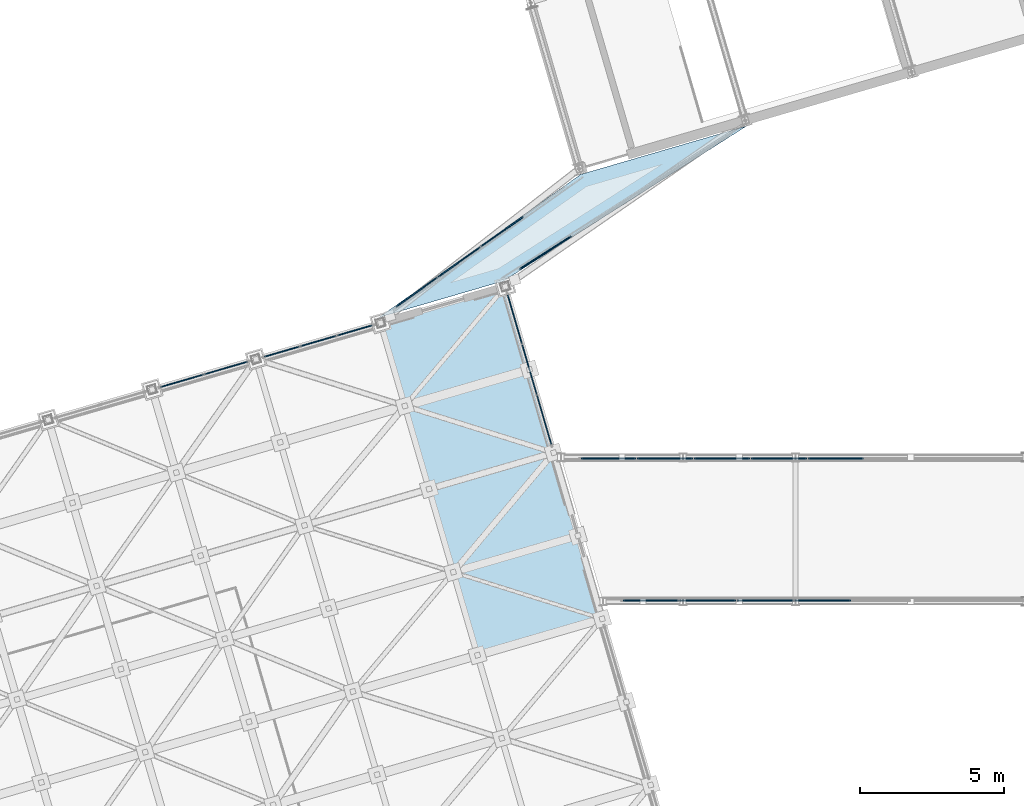
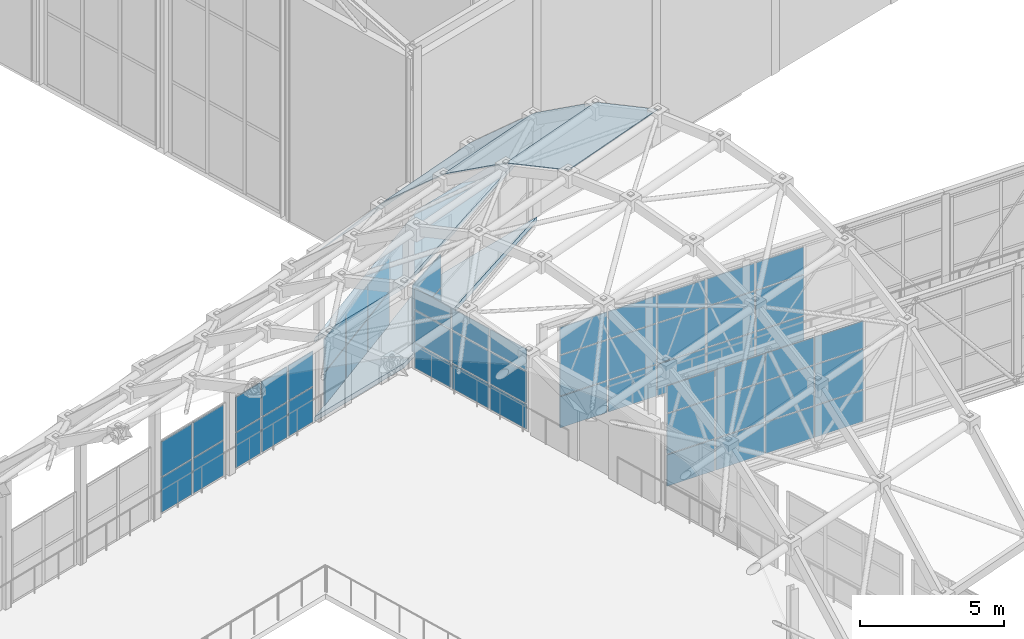
# One storey, part 208 of 248: 58 plates, 2 slabs, 7 elements without a shape of their own.
"""IFC4 building model written with IfcOpenShell, lengths in metres."""

from ifc_helpers import new_model, si_unit, direction, frame, origin, origin_2d, place, context, subcontext, project, spatial, polyline, rectangle, outline, extrude, material, layer, layer_set, type_object, element, aggregate, save


model = new_model("IFC4")

# Units and contexts
model_context = context("Model", 3, precision=1e-05, world=origin(), true_north=direction((0.0, 1.0)))
body_context = subcontext(model_context, "Body", "Model", "MODEL_VIEW")
ifc_project = project(units=[si_unit("LENGTHUNIT", "METRE"), si_unit("AREAUNIT", "SQUARE_METRE"), si_unit("VOLUMEUNIT", "CUBIC_METRE"), si_unit("PLANEANGLEUNIT", "RADIAN"), si_unit("MASSUNIT", "GRAM", prefix="KILO")], contexts=[model_context])

# Site, building, storey
site_placement = place(None, origin())
site = spatial("IfcSite", under=ifc_project, at=site_placement, CompositionType="ELEMENT")
building_placement = place(site_placement, origin())
building = spatial("IfcBuilding", under=site, at=building_placement, Name="Canggui Botanical Conservatory", CompositionType="ELEMENT")
storey_placement = place(building_placement, frame((0.0, 0.0, 5.39990234375)))
storey = spatial("IfcBuildingStorey", under=building, at=storey_placement, Name="L02", CompositionType="ELEMENT", Elevation=5.39990234375)

# Curtain wall, plates
ifc_material_1 = material(Name="Thermally Broken Aluminium", Category="aluminium")
ifc_layer_1 = layer(ifc_material_1, 0.14990234375, Name="Thermally Broken Aluminium", Category="aluminium")
ifc_layer_set_1 = layer_set([ifc_layer_1], Name="Thermally Broken Aluminium")
curtain_wall_type_1 = type_object("IfcCurtainWallType", Name="CW-UNIT-C", PredefinedType="USERDEFINED", material=ifc_layer_set_1)
curtain_wall_1_placement = place(storey_placement, origin())
curtain_wall_1 = element("IfcCurtainWall", 1, at=curtain_wall_1_placement, inside=storey, type_object=curtain_wall_type_1, Name="Facade Curtain Wall CW-CONS-GABLE-L02-N-05", ObjectType="UNITISED CURTAIN WALL", PredefinedType="USERDEFINED")
ifc_material_2 = material(Name="Low-E Insulated Glass", Category="glass")
ifc_layer_2 = layer(ifc_material_2, 0.033935546875, Name="Low-E Insulated Glass", Category="glass")
ifc_layer_set_2 = layer_set([ifc_layer_2], Name="Low-E Insulated Glass")
plate_type_1 = type_object("IfcPlateType", Name="CWP-03", PredefinedType="CURTAIN_PANEL", material=ifc_layer_set_2)
plate_1_placement = place(storey_placement, frame((64.7890625, 81.29443359375, 0.054931640625), z_axis=(0.0, 0.0, 1.0), x_axis=(-0.279999999995, 0.960000000002, 0.0)))
plate_1 = element("IfcPlate", 2, at=plate_1_placement, type_object=plate_type_1, Name="CW-03 panel 1.1", PredefinedType="CURTAIN_PANEL", context=body_context, shape_type="SweptSolid", body=[
    extrude(rectangle(XDim=1.743408203125, YDim=0.033935546875, at=origin_2d()), origin(), (0.0, 0.0, 1.0), 1.03759765625),
])
plate_2_placement = place(storey_placement, frame((64.7890625, 81.29443359375, 1.1474609375), z_axis=(0.0, 0.0, 1.0), x_axis=(-0.279999999995, 0.960000000002, 0.0)))
plate_2 = element("IfcPlate", 3, at=plate_2_placement, type_object=plate_type_1, Name="CW-03 panel 1.2", PredefinedType="CURTAIN_PANEL", context=body_context, shape_type="SweptSolid", body=[
    extrude(rectangle(XDim=1.743408203125, YDim=0.033935546875, at=origin_2d()), origin(), (0.0, 0.0, 1.0), 1.344970703125),
])
plate_3_placement = place(storey_placement, frame((64.7890625, 81.29443359375, 2.547607421875), z_axis=(0.0, 0.0, 1.0), x_axis=(-0.279999999995, 0.960000000002, 0.0)))
plate_3 = element("IfcPlate", 4, at=plate_3_placement, type_object=plate_type_1, Name="CW-03 panel 1.3", PredefinedType="CURTAIN_PANEL", context=body_context, shape_type="SweptSolid", body=[
    extrude(rectangle(XDim=1.743408203125, YDim=0.033935546875, at=origin_2d()), origin(), (0.0, 0.0, 1.0), 0.8974609375),
])
plate_4_placement = place(storey_placement, frame((64.280029296875, 83.0400390625, 0.054931640625), z_axis=(0.0, 0.0, 1.0), x_axis=(-0.279999999995, 0.960000000002, 0.0)))
plate_4 = element("IfcPlate", 5, at=plate_4_placement, type_object=plate_type_1, Name="CW-03 panel 2.1", PredefinedType="CURTAIN_PANEL", context=body_context, shape_type="SweptSolid", body=[
    extrude(rectangle(XDim=1.7734375, YDim=0.033935546875, at=origin_2d()), origin(), (0.0, 0.0, 1.0), 1.03759765625),
])
plate_5_placement = place(storey_placement, frame((64.280029296875, 83.0400390625, 1.1474609375), z_axis=(0.0, 0.0, 1.0), x_axis=(-0.279999999995, 0.960000000002, 0.0)))
plate_5 = element("IfcPlate", 6, at=plate_5_placement, type_object=plate_type_1, Name="CW-03 panel 2.2", PredefinedType="CURTAIN_PANEL", context=body_context, shape_type="SweptSolid", body=[
    extrude(rectangle(XDim=1.7734375, YDim=0.033935546875, at=origin_2d()), origin(), (0.0, 0.0, 1.0), 1.344970703125),
])
plate_6_placement = place(storey_placement, frame((64.280029296875, 83.0400390625, 2.547607421875), z_axis=(0.0, 0.0, 1.0), x_axis=(-0.279999999995, 0.960000000002, 0.0)))
plate_6 = element("IfcPlate", 7, at=plate_6_placement, type_object=plate_type_1, Name="CW-03 panel 2.3", PredefinedType="CURTAIN_PANEL", context=body_context, shape_type="SweptSolid", body=[
    extrude(rectangle(XDim=1.7734375, YDim=0.033935546875, at=origin_2d()), origin(), (0.0, 0.0, 1.0), 0.8974609375),
])
plate_7_placement = place(storey_placement, frame((63.770751953125, 84.78564453125, 0.054931640625), z_axis=(0.0, 0.0, 1.0), x_axis=(-0.279999999995, 0.960000000002, 0.0)))
plate_7 = element("IfcPlate", 8, at=plate_7_placement, type_object=plate_type_1, Name="CW-03 panel 3.1", PredefinedType="CURTAIN_PANEL", context=body_context, shape_type="SweptSolid", body=[
    extrude(rectangle(XDim=1.743408203125, YDim=0.033935546875, at=origin_2d()), origin(), (0.0, 0.0, 1.0), 1.03759765625),
])
plate_8_placement = place(storey_placement, frame((63.770751953125, 84.78564453125, 1.1474609375), z_axis=(0.0, 0.0, 1.0), x_axis=(-0.279999999995, 0.960000000002, 0.0)))
plate_8 = element("IfcPlate", 9, at=plate_8_placement, type_object=plate_type_1, Name="CW-03 panel 3.2", PredefinedType="CURTAIN_PANEL", context=body_context, shape_type="SweptSolid", body=[
    extrude(rectangle(XDim=1.743408203125, YDim=0.033935546875, at=origin_2d()), origin(), (0.0, 0.0, 1.0), 1.344970703125),
])
plate_9_placement = place(storey_placement, frame((63.770751953125, 84.78564453125, 2.547607421875), z_axis=(0.0, 0.0, 1.0), x_axis=(-0.279999999995, 0.960000000002, 0.0)))
plate_9 = element("IfcPlate", 10, at=plate_9_placement, type_object=plate_type_1, Name="CW-03 panel 3.3", PredefinedType="CURTAIN_PANEL", context=body_context, shape_type="SweptSolid", body=[
    extrude(rectangle(XDim=1.743408203125, YDim=0.033935546875, at=origin_2d()), origin(), (0.0, 0.0, 1.0), 0.8974609375),
])
aggregate(curtain_wall_1, [plate_1, plate_2, plate_3, plate_4, plate_5, plate_6, plate_7, plate_8, plate_9])

ifc_layer_3 = layer(ifc_material_1, 0.135009765625, Name="Thermally Broken Aluminium", Category="aluminium")
ifc_layer_set_3 = layer_set([ifc_layer_3], Name="Thermally Broken Aluminium")
curtain_wall_type_2 = type_object("IfcCurtainWallType", Name="CW-STICK-A", PredefinedType="USERDEFINED", material=ifc_layer_set_3)
curtain_wall_2_placement = place(storey_placement, origin())
curtain_wall_2 = element("IfcCurtainWall", 11, at=curtain_wall_2_placement, inside=storey, type_object=curtain_wall_type_2, Name="Facade Curtain Wall CW-CONS-L02-V1-12", ObjectType="STICK GLAZED WALL", PredefinedType="USERDEFINED")
ifc_layer_4 = layer(ifc_material_2, 0.0380859375, Name="Low-E Insulated Glass", Category="glass")
ifc_layer_set_4 = layer_set([ifc_layer_4], Name="Low-E Insulated Glass")
plate_type_2 = type_object("IfcPlateType", Name="CWP-04", PredefinedType="CURTAIN_PANEL", material=ifc_layer_set_4)
plate_10_placement = place(storey_placement, frame((52.234375, 82.651611328125, 0.050048828125), z_axis=(0.0, 0.0, 1.0), x_axis=(0.960000000002, 0.279999999995, 0.0)))
plate_10 = element("IfcPlate", 12, at=plate_10_placement, type_object=plate_type_2, Name="CW-04 panel 1.1", PredefinedType="CURTAIN_PANEL", context=body_context, shape_type="SweptSolid", body=[
    extrude(rectangle(XDim=1.534912109375, YDim=0.0380859375, at=origin_2d()), origin(), (0.0, 0.0, 1.0), 1.47509765625),
])
plate_11_placement = place(storey_placement, frame((52.234375, 82.651611328125, 1.574951171875), z_axis=(0.0, 0.0, 1.0), x_axis=(0.960000000002, 0.279999999995, 0.0)))
plate_11 = element("IfcPlate", 13, at=plate_11_placement, type_object=plate_type_2, Name="CW-04 panel 1.2", PredefinedType="CURTAIN_PANEL", context=body_context, shape_type="SweptSolid", body=[
    extrude(rectangle(XDim=1.534912109375, YDim=0.0380859375, at=origin_2d()), origin(), (0.0, 0.0, 1.0), 1.47509765625),
])
plate_12_placement = place(storey_placement, frame((53.765625, 83.098388671875, 0.050048828125), z_axis=(0.0, 0.0, 1.0), x_axis=(0.960000000002, 0.279999999995, 0.0)))
plate_12 = element("IfcPlate", 14, at=plate_12_placement, type_object=plate_type_2, Name="CW-04 panel 2.1", PredefinedType="CURTAIN_PANEL", context=body_context, shape_type="SweptSolid", body=[
    extrude(rectangle(XDim=1.534912109375, YDim=0.0380859375, at=origin_2d()), origin(), (0.0, 0.0, 1.0), 1.47509765625),
])
plate_13_placement = place(storey_placement, frame((53.765625, 83.098388671875, 1.574951171875), z_axis=(0.0, 0.0, 1.0), x_axis=(0.960000000002, 0.279999999995, 0.0)))
plate_13 = element("IfcPlate", 15, at=plate_13_placement, type_object=plate_type_2, Name="CW-04 panel 2.2", PredefinedType="CURTAIN_PANEL", context=body_context, shape_type="SweptSolid", body=[
    extrude(rectangle(XDim=1.534912109375, YDim=0.0380859375, at=origin_2d()), origin(), (0.0, 0.0, 1.0), 1.47509765625),
])
aggregate(curtain_wall_2, [plate_10, plate_11, plate_12, plate_13])

curtain_wall_3_placement = place(storey_placement, origin())
curtain_wall_3 = element("IfcCurtainWall", 16, at=curtain_wall_3_placement, inside=storey, type_object=curtain_wall_type_2, Name="Facade Curtain Wall CW-CONS-L02-V1-13", ObjectType="STICK GLAZED WALL", PredefinedType="USERDEFINED")
plate_14_placement = place(storey_placement, frame((55.6943359375, 83.660888671875, 0.050048828125), z_axis=(0.0, 0.0, 1.0), x_axis=(0.960000000002, 0.279999999995, 0.0)))
plate_14 = element("IfcPlate", 17, at=plate_14_placement, type_object=plate_type_2, Name="CW-04 panel 1.1", PredefinedType="CURTAIN_PANEL", context=body_context, shape_type="SweptSolid", body=[
    extrude(rectangle(XDim=1.243408203125, YDim=0.0380859375, at=origin_2d()), origin(), (0.0, 0.0, 1.0), 1.47509765625),
])
plate_15_placement = place(storey_placement, frame((55.6943359375, 83.660888671875, 1.574951171875), z_axis=(0.0, 0.0, 1.0), x_axis=(0.960000000002, 0.279999999995, 0.0)))
plate_15 = element("IfcPlate", 18, at=plate_15_placement, type_object=plate_type_2, Name="CW-04 panel 1.2", PredefinedType="CURTAIN_PANEL", context=body_context, shape_type="SweptSolid", body=[
    extrude(rectangle(XDim=1.243408203125, YDim=0.0380859375, at=origin_2d()), origin(), (0.0, 0.0, 1.0), 1.47509765625),
])
plate_16_placement = place(storey_placement, frame((56.9599609375, 84.030029296875, 0.050048828125), z_axis=(0.0, 0.0, 1.0), x_axis=(0.960000000002, 0.279999999995, 0.0)))
plate_16 = element("IfcPlate", 19, at=plate_16_placement, type_object=plate_type_2, Name="CW-04 panel 2.1", PredefinedType="CURTAIN_PANEL", context=body_context, shape_type="SweptSolid", body=[
    extrude(rectangle(XDim=1.2734375, YDim=0.0380859375, at=origin_2d()), origin(), (0.0, 0.0, 1.0), 1.47509765625),
])
plate_17_placement = place(storey_placement, frame((56.9599609375, 84.030029296875, 1.574951171875), z_axis=(0.0, 0.0, 1.0), x_axis=(0.960000000002, 0.279999999995, 0.0)))
plate_17 = element("IfcPlate", 20, at=plate_17_placement, type_object=plate_type_2, Name="CW-04 panel 2.2", PredefinedType="CURTAIN_PANEL", context=body_context, shape_type="SweptSolid", body=[
    extrude(rectangle(XDim=1.2734375, YDim=0.0380859375, at=origin_2d()), origin(), (0.0, 0.0, 1.0), 1.47509765625),
])
plate_18_placement = place(storey_placement, frame((58.2255859375, 84.399169921875, 0.050048828125), z_axis=(0.0, 0.0, 1.0), x_axis=(0.960000000002, 0.279999999995, 0.0)))
plate_18 = element("IfcPlate", 21, at=plate_18_placement, type_object=plate_type_2, Name="CW-04 panel 3.1", PredefinedType="CURTAIN_PANEL", context=body_context, shape_type="SweptSolid", body=[
    extrude(rectangle(XDim=1.243408203125, YDim=0.0380859375, at=origin_2d()), origin(), (0.0, 0.0, 1.0), 1.47509765625),
])
plate_19_placement = place(storey_placement, frame((58.2255859375, 84.399169921875, 1.574951171875), z_axis=(0.0, 0.0, 1.0), x_axis=(0.960000000002, 0.279999999995, 0.0)))
plate_19 = element("IfcPlate", 22, at=plate_19_placement, type_object=plate_type_2, Name="CW-04 panel 3.2", PredefinedType="CURTAIN_PANEL", context=body_context, shape_type="SweptSolid", body=[
    extrude(rectangle(XDim=1.243408203125, YDim=0.0380859375, at=origin_2d()), origin(), (0.0, 0.0, 1.0), 1.47509765625),
])
aggregate(curtain_wall_3, [plate_14, plate_15, plate_16, plate_17, plate_18, plate_19])

ifc_layer_5 = layer(ifc_material_1, 0.1201171875, Name="Thermally Broken Aluminium", Category="aluminium")
ifc_layer_set_5 = layer_set([ifc_layer_5], Name="Thermally Broken Aluminium")
curtain_wall_type_3 = type_object("IfcCurtainWallType", Name="CW-STICK-B", PredefinedType="USERDEFINED", material=ifc_layer_set_5)
curtain_wall_4_placement = place(storey_placement, origin())
curtain_wall_4 = element("IfcCurtainWall", 23, at=curtain_wall_4_placement, inside=storey, type_object=curtain_wall_type_3, Name="Facade Curtain Wall CW-SB-03-1", ObjectType="STICK GLAZED WALL", PredefinedType="USERDEFINED")
ifc_layer_6 = layer(ifc_material_2, 0.0419921875, Name="Low-E Insulated Glass", Category="glass")
ifc_layer_set_6 = layer_set([ifc_layer_6], Name="Low-E Insulated Glass")
plate_type_3 = type_object("IfcPlateType", Name="CWP-05", PredefinedType="CURTAIN_PANEL", material=ifc_layer_set_6)
plate_20_placement = place(storey_placement, frame((60.3701171875, 85.728759765625, 0.044921875), z_axis=(0.0, 0.0, 1.0), x_axis=(0.815836835725, 0.578282160778, 0.0)))
plate_20 = element("IfcPlate", 24, at=plate_20_placement, type_object=plate_type_3, Name="CW-05 panel 1.1", PredefinedType="CURTAIN_PANEL", context=body_context, shape_type="SweptSolid", body=[
    extrude(rectangle(XDim=1.735107421875, YDim=0.0419921875, at=origin_2d()), origin(), (0.0, 0.0, 1.0), 1.382568359375),
])
plate_21_placement = place(storey_placement, frame((60.3701171875, 85.728759765625, 1.47265625), z_axis=(0.0, 0.0, 1.0), x_axis=(0.815836835725, 0.578282160778, 0.0)))
plate_21 = element("IfcPlate", 25, at=plate_21_placement, type_object=plate_type_3, Name="CW-05 panel 1.2", PredefinedType="CURTAIN_PANEL", context=body_context, shape_type="SweptSolid", body=[
    extrude(rectangle(XDim=1.735107421875, YDim=0.0419921875, at=origin_2d()), origin(), (0.0, 0.0, 1.0), 1.382568359375),
])
plate_22_placement = place(storey_placement, frame((61.841796875, 86.771728515625, 0.044921875), z_axis=(0.0, 0.0, 1.0), x_axis=(0.815836835725, 0.578282160778, 0.0)))
plate_22 = element("IfcPlate", 26, at=plate_22_placement, type_object=plate_type_3, Name="CW-05 panel 2.1", PredefinedType="CURTAIN_PANEL", context=body_context, shape_type="SweptSolid", body=[
    extrude(rectangle(XDim=1.7626953125, YDim=0.0419921875, at=origin_2d()), origin(), (0.0, 0.0, 1.0), 1.382568359375),
])
plate_23_placement = place(storey_placement, frame((61.841796875, 86.771728515625, 1.47265625), z_axis=(0.0, 0.0, 1.0), x_axis=(0.815836835725, 0.578282160778, 0.0)))
plate_23 = element("IfcPlate", 27, at=plate_23_placement, type_object=plate_type_3, Name="CW-05 panel 2.2", PredefinedType="CURTAIN_PANEL", context=body_context, shape_type="SweptSolid", body=[
    extrude(rectangle(XDim=1.7626953125, YDim=0.0419921875, at=origin_2d()), origin(), (0.0, 0.0, 1.0), 1.382568359375),
])
plate_24_placement = place(storey_placement, frame((63.324462890625, 87.822998046875, 0.044921875), z_axis=(0.0, 0.0, 1.0), x_axis=(0.815836835725, 0.578282160778, 0.0)))
plate_24 = element("IfcPlate", 28, at=plate_24_placement, type_object=plate_type_3, Name="CW-05 panel 3.1", PredefinedType="CURTAIN_PANEL", context=body_context, shape_type="SweptSolid", body=[
    extrude(rectangle(XDim=1.7626953125, YDim=0.0419921875, at=origin_2d()), origin(), (0.0, 0.0, 1.0), 1.382568359375),
])
plate_25_placement = place(storey_placement, frame((63.324462890625, 87.822998046875, 1.47265625), z_axis=(0.0, 0.0, 1.0), x_axis=(0.815836835725, 0.578282160778, 0.0)))
plate_25 = element("IfcPlate", 29, at=plate_25_placement, type_object=plate_type_3, Name="CW-05 panel 3.2", PredefinedType="CURTAIN_PANEL", context=body_context, shape_type="SweptSolid", body=[
    extrude(rectangle(XDim=1.7626953125, YDim=0.0419921875, at=origin_2d()), origin(), (0.0, 0.0, 1.0), 1.382568359375),
])
aggregate(curtain_wall_4, [plate_20, plate_21, plate_22, plate_23, plate_24, plate_25])

curtain_wall_5_placement = place(storey_placement, origin())
curtain_wall_5 = element("IfcCurtainWall", 30, at=curtain_wall_5_placement, inside=storey, type_object=curtain_wall_type_3, Name="Facade Curtain Wall CW-SB-03-2", ObjectType="STICK GLAZED WALL", PredefinedType="USERDEFINED")
plate_26_placement = place(storey_placement, frame((64.839111328125, 87.087158203125, 0.044921875), z_axis=(0.0, 0.0, 1.0), x_axis=(0.843199713274, 0.537600449716, 0.0)))
plate_26 = element("IfcPlate", 31, at=plate_26_placement, type_object=plate_type_3, Name="CW-05 panel 1.1", PredefinedType="CURTAIN_PANEL", context=body_context, shape_type="SweptSolid", body=[
    extrude(rectangle(XDim=2.092529296875, YDim=0.0419921875, at=origin_2d()), origin(), (0.0, 0.0, 1.0), 1.382568359375),
])
plate_27_placement = place(storey_placement, frame((64.839111328125, 87.087158203125, 1.47265625), z_axis=(0.0, 0.0, 1.0), x_axis=(0.843199713274, 0.537600449716, 0.0)))
plate_27 = element("IfcPlate", 32, at=plate_27_placement, type_object=plate_type_3, Name="CW-05 panel 1.2", PredefinedType="CURTAIN_PANEL", context=body_context, shape_type="SweptSolid", body=[
    extrude(rectangle(XDim=2.092529296875, YDim=0.0419921875, at=origin_2d()), origin(), (0.0, 0.0, 1.0), 1.382568359375),
])
aggregate(curtain_wall_5, [plate_26, plate_27])

curtain_wall_6_placement = place(storey_placement, origin())
curtain_wall_6 = element("IfcCurtainWall", 33, at=curtain_wall_6_placement, inside=storey, type_object=curtain_wall_type_3, Name="Facade Curtain Wall CW-SB-04-1", ObjectType="STICK GLAZED WALL", PredefinedType="USERDEFINED")
plate_28_placement = place(storey_placement, frame((68.488525390625, 75.0400390625, 0.044921875), z_axis=(0.0, 0.0, 1.0), x_axis=(1.0, 0.0, 0.0)))
plate_28 = element("IfcPlate", 34, at=plate_28_placement, type_object=plate_type_3, Name="CW-05 panel 1.1", PredefinedType="CURTAIN_PANEL", context=body_context, shape_type="SweptSolid", body=[
    extrude(rectangle(XDim=1.90673828125, YDim=0.0419921875, at=origin_2d()), origin(), (0.0, 0.0, 1.0), 1.324462890625),
])
plate_29_placement = place(storey_placement, frame((68.488525390625, 75.0400390625, 1.41455078125), z_axis=(0.0, 0.0, 1.0), x_axis=(1.0, 0.0, 0.0)))
plate_29 = element("IfcPlate", 35, at=plate_29_placement, type_object=plate_type_3, Name="CW-05 panel 1.2", PredefinedType="CURTAIN_PANEL", context=body_context, shape_type="SweptSolid", body=[
    extrude(rectangle(XDim=1.90673828125, YDim=0.0419921875, at=origin_2d()), origin(), (0.0, 0.0, 1.0), 1.695068359375),
])
plate_30_placement = place(storey_placement, frame((68.488525390625, 75.0400390625, 3.154541015625), z_axis=(0.0, 0.0, 1.0), x_axis=(1.0, 0.0, 0.0)))
plate_30 = element("IfcPlate", 36, at=plate_30_placement, type_object=plate_type_3, Name="CW-05 panel 1.3", PredefinedType="CURTAIN_PANEL", context=body_context, shape_type="SweptSolid", body=[
    extrude(rectangle(XDim=1.90673828125, YDim=0.0419921875, at=origin_2d()), origin(), (0.0, 0.0, 1.0), 1.150390625),
])
plate_31_placement = place(storey_placement, frame((70.464111328125, 75.0400390625, 0.044921875), z_axis=(0.0, 0.0, 1.0), x_axis=(1.0, 0.0, 0.0)))
plate_31 = element("IfcPlate", 37, at=plate_31_placement, type_object=plate_type_3, Name="CW-05 panel 2.1", PredefinedType="CURTAIN_PANEL", context=body_context, shape_type="SweptSolid", body=[
    extrude(rectangle(XDim=1.934326171875, YDim=0.0419921875, at=origin_2d()), origin(), (0.0, 0.0, 1.0), 1.324462890625),
])
plate_32_placement = place(storey_placement, frame((70.464111328125, 75.0400390625, 1.41455078125), z_axis=(0.0, 0.0, 1.0), x_axis=(1.0, 0.0, 0.0)))
plate_32 = element("IfcPlate", 38, at=plate_32_placement, type_object=plate_type_3, Name="CW-05 panel 2.2", PredefinedType="CURTAIN_PANEL", context=body_context, shape_type="SweptSolid", body=[
    extrude(rectangle(XDim=1.934326171875, YDim=0.0419921875, at=origin_2d()), origin(), (0.0, 0.0, 1.0), 1.695068359375),
])
plate_33_placement = place(storey_placement, frame((70.464111328125, 75.0400390625, 3.154541015625), z_axis=(0.0, 0.0, 1.0), x_axis=(1.0, 0.0, 0.0)))
plate_33 = element("IfcPlate", 39, at=plate_33_placement, type_object=plate_type_3, Name="CW-05 panel 2.3", PredefinedType="CURTAIN_PANEL", context=body_context, shape_type="SweptSolid", body=[
    extrude(rectangle(XDim=1.934326171875, YDim=0.0419921875, at=origin_2d()), origin(), (0.0, 0.0, 1.0), 1.150390625),
])
plate_34_placement = place(storey_placement, frame((72.453369140625, 75.0400390625, 0.044921875), z_axis=(0.0, 0.0, 1.0), x_axis=(1.0, 0.0, 0.0)))
plate_34 = element("IfcPlate", 40, at=plate_34_placement, type_object=plate_type_3, Name="CW-05 panel 3.1", PredefinedType="CURTAIN_PANEL", context=body_context, shape_type="SweptSolid", body=[
    extrude(rectangle(XDim=1.934326171875, YDim=0.0419921875, at=origin_2d()), origin(), (0.0, 0.0, 1.0), 1.324462890625),
])
plate_35_placement = place(storey_placement, frame((72.453369140625, 75.0400390625, 1.41455078125), z_axis=(0.0, 0.0, 1.0), x_axis=(1.0, 0.0, 0.0)))
plate_35 = element("IfcPlate", 41, at=plate_35_placement, type_object=plate_type_3, Name="CW-05 panel 3.2", PredefinedType="CURTAIN_PANEL", context=body_context, shape_type="SweptSolid", body=[
    extrude(rectangle(XDim=1.934326171875, YDim=0.0419921875, at=origin_2d()), origin(), (0.0, 0.0, 1.0), 1.695068359375),
])
plate_36_placement = place(storey_placement, frame((72.453369140625, 75.0400390625, 3.154541015625), z_axis=(0.0, 0.0, 1.0), x_axis=(1.0, 0.0, 0.0)))
plate_36 = element("IfcPlate", 42, at=plate_36_placement, type_object=plate_type_3, Name="CW-05 panel 3.3", PredefinedType="CURTAIN_PANEL", context=body_context, shape_type="SweptSolid", body=[
    extrude(rectangle(XDim=1.934326171875, YDim=0.0419921875, at=origin_2d()), origin(), (0.0, 0.0, 1.0), 1.150390625),
])
plate_37_placement = place(storey_placement, frame((74.442626953125, 75.0400390625, 0.044921875), z_axis=(0.0, 0.0, 1.0), x_axis=(1.0, 0.0, 0.0)))
plate_37 = element("IfcPlate", 43, at=plate_37_placement, type_object=plate_type_3, Name="CW-05 panel 4.1", PredefinedType="CURTAIN_PANEL", context=body_context, shape_type="SweptSolid", body=[
    extrude(rectangle(XDim=1.934326171875, YDim=0.0419921875, at=origin_2d()), origin(), (0.0, 0.0, 1.0), 1.324462890625),
])
plate_38_placement = place(storey_placement, frame((74.442626953125, 75.0400390625, 1.41455078125), z_axis=(0.0, 0.0, 1.0), x_axis=(1.0, 0.0, 0.0)))
plate_38 = element("IfcPlate", 44, at=plate_38_placement, type_object=plate_type_3, Name="CW-05 panel 4.2", PredefinedType="CURTAIN_PANEL", context=body_context, shape_type="SweptSolid", body=[
    extrude(rectangle(XDim=1.934326171875, YDim=0.0419921875, at=origin_2d()), origin(), (0.0, 0.0, 1.0), 1.695068359375),
])
plate_39_placement = place(storey_placement, frame((74.442626953125, 75.0400390625, 3.154541015625), z_axis=(0.0, 0.0, 1.0), x_axis=(1.0, 0.0, 0.0)))
plate_39 = element("IfcPlate", 45, at=plate_39_placement, type_object=plate_type_3, Name="CW-05 panel 4.3", PredefinedType="CURTAIN_PANEL", context=body_context, shape_type="SweptSolid", body=[
    extrude(rectangle(XDim=1.934326171875, YDim=0.0419921875, at=origin_2d()), origin(), (0.0, 0.0, 1.0), 1.150390625),
])
aggregate(curtain_wall_6, [plate_28, plate_29, plate_30, plate_31, plate_32, plate_33, plate_34, plate_35, plate_36, plate_37, plate_38, plate_39])

curtain_wall_7_placement = place(storey_placement, origin())
curtain_wall_7 = element("IfcCurtainWall", 46, at=curtain_wall_7_placement, inside=storey, type_object=curtain_wall_type_3, Name="Facade Curtain Wall CW-SB-04-2", ObjectType="STICK GLAZED WALL", PredefinedType="USERDEFINED")
plate_40_placement = place(storey_placement, frame((67.020263671875, 79.9599609375, 0.044921875), z_axis=(0.0, 0.0, 1.0), x_axis=(1.0, 0.0, 0.0)))
plate_40 = element("IfcPlate", 47, at=plate_40_placement, type_object=plate_type_3, Name="CW-05 panel 1.1", PredefinedType="CURTAIN_PANEL", context=body_context, shape_type="SweptSolid", body=[
    extrude(rectangle(XDim=1.890380859375, YDim=0.0419921875, at=origin_2d()), origin(), (0.0, 0.0, 1.0), 1.324462890625),
])
plate_41_placement = place(storey_placement, frame((67.020263671875, 79.9599609375, 1.41455078125), z_axis=(0.0, 0.0, 1.0), x_axis=(1.0, 0.0, 0.0)))
plate_41 = element("IfcPlate", 48, at=plate_41_placement, type_object=plate_type_3, Name="CW-05 panel 1.2", PredefinedType="CURTAIN_PANEL", context=body_context, shape_type="SweptSolid", body=[
    extrude(rectangle(XDim=1.890380859375, YDim=0.0419921875, at=origin_2d()), origin(), (0.0, 0.0, 1.0), 1.695068359375),
])
plate_42_placement = place(storey_placement, frame((67.020263671875, 79.9599609375, 3.154541015625), z_axis=(0.0, 0.0, 1.0), x_axis=(1.0, 0.0, 0.0)))
plate_42 = element("IfcPlate", 49, at=plate_42_placement, type_object=plate_type_3, Name="CW-05 panel 1.3", PredefinedType="CURTAIN_PANEL", context=body_context, shape_type="SweptSolid", body=[
    extrude(rectangle(XDim=1.890380859375, YDim=0.0419921875, at=origin_2d()), origin(), (0.0, 0.0, 1.0), 1.150390625),
])
plate_43_placement = place(storey_placement, frame((68.979248046875, 79.9599609375, 0.044921875), z_axis=(0.0, 0.0, 1.0), x_axis=(1.0, 0.0, 0.0)))
plate_43 = element("IfcPlate", 50, at=plate_43_placement, type_object=plate_type_3, Name="CW-05 panel 2.1", PredefinedType="CURTAIN_PANEL", context=body_context, shape_type="SweptSolid", body=[
    extrude(rectangle(XDim=1.917724609375, YDim=0.0419921875, at=origin_2d()), origin(), (0.0, 0.0, 1.0), 1.324462890625),
])
plate_44_placement = place(storey_placement, frame((68.979248046875, 79.9599609375, 1.41455078125), z_axis=(0.0, 0.0, 1.0), x_axis=(1.0, 0.0, 0.0)))
plate_44 = element("IfcPlate", 51, at=plate_44_placement, type_object=plate_type_3, Name="CW-05 panel 2.2", PredefinedType="CURTAIN_PANEL", context=body_context, shape_type="SweptSolid", body=[
    extrude(rectangle(XDim=1.917724609375, YDim=0.0419921875, at=origin_2d()), origin(), (0.0, 0.0, 1.0), 1.695068359375),
])
plate_45_placement = place(storey_placement, frame((68.979248046875, 79.9599609375, 3.154541015625), z_axis=(0.0, 0.0, 1.0), x_axis=(1.0, 0.0, 0.0)))
plate_45 = element("IfcPlate", 52, at=plate_45_placement, type_object=plate_type_3, Name="CW-05 panel 2.3", PredefinedType="CURTAIN_PANEL", context=body_context, shape_type="SweptSolid", body=[
    extrude(rectangle(XDim=1.917724609375, YDim=0.0419921875, at=origin_2d()), origin(), (0.0, 0.0, 1.0), 1.150390625),
])
plate_46_placement = place(storey_placement, frame((70.9521484375, 79.9599609375, 0.044921875), z_axis=(0.0, 0.0, 1.0), x_axis=(1.0, 0.0, 0.0)))
plate_46 = element("IfcPlate", 53, at=plate_46_placement, type_object=plate_type_3, Name="CW-05 panel 3.1", PredefinedType="CURTAIN_PANEL", context=body_context, shape_type="SweptSolid", body=[
    extrude(rectangle(XDim=1.917724609375, YDim=0.0419921875, at=origin_2d()), origin(), (0.0, 0.0, 1.0), 1.324462890625),
])
plate_47_placement = place(storey_placement, frame((70.9521484375, 79.9599609375, 1.41455078125), z_axis=(0.0, 0.0, 1.0), x_axis=(1.0, 0.0, 0.0)))
plate_47 = element("IfcPlate", 54, at=plate_47_placement, type_object=plate_type_3, Name="CW-05 panel 3.2", PredefinedType="CURTAIN_PANEL", context=body_context, shape_type="SweptSolid", body=[
    extrude(rectangle(XDim=1.917724609375, YDim=0.0419921875, at=origin_2d()), origin(), (0.0, 0.0, 1.0), 1.695068359375),
])
plate_48_placement = place(storey_placement, frame((70.9521484375, 79.9599609375, 3.154541015625), z_axis=(0.0, 0.0, 1.0), x_axis=(1.0, 0.0, 0.0)))
plate_48 = element("IfcPlate", 55, at=plate_48_placement, type_object=plate_type_3, Name="CW-05 panel 3.3", PredefinedType="CURTAIN_PANEL", context=body_context, shape_type="SweptSolid", body=[
    extrude(rectangle(XDim=1.917724609375, YDim=0.0419921875, at=origin_2d()), origin(), (0.0, 0.0, 1.0), 1.150390625),
])
plate_49_placement = place(storey_placement, frame((72.9248046875, 79.9599609375, 0.044921875), z_axis=(0.0, 0.0, 1.0), x_axis=(1.0, 0.0, 0.0)))
plate_49 = element("IfcPlate", 56, at=plate_49_placement, type_object=plate_type_3, Name="CW-05 panel 4.1", PredefinedType="CURTAIN_PANEL", context=body_context, shape_type="SweptSolid", body=[
    extrude(rectangle(XDim=1.917724609375, YDim=0.0419921875, at=origin_2d()), origin(), (0.0, 0.0, 1.0), 1.324462890625),
])
plate_50_placement = place(storey_placement, frame((72.9248046875, 79.9599609375, 1.41455078125), z_axis=(0.0, 0.0, 1.0), x_axis=(1.0, 0.0, 0.0)))
plate_50 = element("IfcPlate", 57, at=plate_50_placement, type_object=plate_type_3, Name="CW-05 panel 4.2", PredefinedType="CURTAIN_PANEL", context=body_context, shape_type="SweptSolid", body=[
    extrude(rectangle(XDim=1.917724609375, YDim=0.0419921875, at=origin_2d()), origin(), (0.0, 0.0, 1.0), 1.695068359375),
])
plate_51_placement = place(storey_placement, frame((72.9248046875, 79.9599609375, 3.154541015625), z_axis=(0.0, 0.0, 1.0), x_axis=(1.0, 0.0, 0.0)))
plate_51 = element("IfcPlate", 58, at=plate_51_placement, type_object=plate_type_3, Name="CW-05 panel 4.3", PredefinedType="CURTAIN_PANEL", context=body_context, shape_type="SweptSolid", body=[
    extrude(rectangle(XDim=1.917724609375, YDim=0.0419921875, at=origin_2d()), origin(), (0.0, 0.0, 1.0), 1.150390625),
])
plate_52_placement = place(storey_placement, frame((74.897705078125, 79.9599609375, 0.044921875), z_axis=(0.0, 0.0, 1.0), x_axis=(1.0, 0.0, 0.0)))
plate_52 = element("IfcPlate", 59, at=plate_52_placement, type_object=plate_type_3, Name="CW-05 panel 5.1", PredefinedType="CURTAIN_PANEL", context=body_context, shape_type="SweptSolid", body=[
    extrude(rectangle(XDim=1.917724609375, YDim=0.0419921875, at=origin_2d()), origin(), (0.0, 0.0, 1.0), 1.324462890625),
])
plate_53_placement = place(storey_placement, frame((74.897705078125, 79.9599609375, 1.41455078125), z_axis=(0.0, 0.0, 1.0), x_axis=(1.0, 0.0, 0.0)))
plate_53 = element("IfcPlate", 60, at=plate_53_placement, type_object=plate_type_3, Name="CW-05 panel 5.2", PredefinedType="CURTAIN_PANEL", context=body_context, shape_type="SweptSolid", body=[
    extrude(rectangle(XDim=1.917724609375, YDim=0.0419921875, at=origin_2d()), origin(), (0.0, 0.0, 1.0), 1.695068359375),
])
plate_54_placement = place(storey_placement, frame((74.897705078125, 79.9599609375, 3.154541015625), z_axis=(0.0, 0.0, 1.0), x_axis=(1.0, 0.0, 0.0)))
plate_54 = element("IfcPlate", 61, at=plate_54_placement, type_object=plate_type_3, Name="CW-05 panel 5.3", PredefinedType="CURTAIN_PANEL", context=body_context, shape_type="SweptSolid", body=[
    extrude(rectangle(XDim=1.917724609375, YDim=0.0419921875, at=origin_2d()), origin(), (0.0, 0.0, 1.0), 1.150390625),
])
aggregate(curtain_wall_7, [plate_40, plate_41, plate_42, plate_43, plate_44, plate_45, plate_46, plate_47, plate_48, plate_49, plate_50, plate_51, plate_52, plate_53, plate_54])

# Plates
ifc_layer_7 = layer(ifc_material_2, 0.028076171875, Name="Low-E Insulated Glass", Category="glass")
ifc_layer_set_7 = layer_set([ifc_layer_7], Name="Low-E Insulated Glass")
plate_type_4 = type_object("IfcPlateType", Name="PLT-GS-GLAZ-28", PredefinedType="SHEET", material=ifc_layer_set_7)
plate_55_placement = place(storey_placement, frame((62.47998046875, 73.139892578125, 16.381103515625), z_axis=(-0.159821976385, 0.32609047615, 0.931730614088), x_axis=(0.957873732332, 0.279377583078, 0.066528783105)))
element("IfcPlate", 62, at=plate_55_placement, inside=storey, type_object=plate_type_4, Name="Conservatory Stepped-Arch Roof Glazing Panel 14-7", PredefinedType="SHEET", context=body_context, shape_type="SweptSolid", body=[
    extrude(outline(polyline([(0.0, 0.0), (4.5100603697071024, 1.3877787807814457e-16), (4.433357368522092, 3.2128381673565665), (-0.07670300118500992, 3.2128381673565665), (0.0, 0.0)])), origin(), (0.0, 0.0, -1.0), 0.028076171875),
])
ifc_layer_8 = layer(ifc_material_2, 0.031982421875, Name="Low-E Insulated Glass", Category="glass")
ifc_layer_set_8 = layer_set([ifc_layer_8], Name="Low-E Insulated Glass")
plate_type_5 = type_object("IfcPlateType", Name="PLT-GS-GLAZ-32", PredefinedType="SHEET", material=ifc_layer_set_8)
plate_56_placement = place(storey_placement, frame((61.639892578125, 76.02001953125, 15.22900390625), z_axis=(-0.204526390761, 0.500983536677, 0.840942597007), x_axis=(0.957873732332, 0.279377583078, 0.066528783105)))
element("IfcPlate", 63, at=plate_56_placement, inside=storey, type_object=plate_type_5, Name="Conservatory Stepped-Arch Roof Glazing Panel 14-8", PredefinedType="SHEET", context=body_context, shape_type="SweptSolid", body=[
    extrude(outline(polyline([(0.0, 0.0), (4.5100603697071024, 1.3877787807814457e-16), (4.382440736023364, 3.559336423176225), (-0.127619633683737, 3.559336423176225), (0.0, 0.0)])), origin(), (0.0, 0.0, -1.0), 0.031982421875),
])
plate_57_placement = place(storey_placement, frame((60.800048828125, 78.89990234375, 13.30908203125), z_axis=(-0.234226862967, 0.625929450922, 0.74387505613), x_axis=(0.957873732332, 0.279377583078, 0.066528783105)))
element("IfcPlate", 64, at=plate_57_placement, inside=storey, type_object=plate_type_5, Name="Conservatory Stepped-Arch Roof Glazing Panel 14-9", PredefinedType="SHEET", context=body_context, shape_type="SweptSolid", body=[
    extrude(outline(polyline([(0.0, 0.0), (4.5100603697071024, 2.7755575615628914e-17), (4.331176564198072, 4.024196878180266), (-0.17888380550902938, 4.024196878180265), (0.0, 0.0)])), origin(), (0.0, 0.0, -1.0), 0.031982421875),
])
plate_58_placement = place(storey_placement, frame((59.9599609375, 81.780029296875, 10.62109375), z_axis=(-0.253174640919, 0.712061173956, 0.654882803057), x_axis=(0.95787199748, 0.279382462471, 0.066533270679)))
element("IfcPlate", 65, at=plate_58_placement, inside=storey, type_object=plate_type_5, Name="Conservatory Stepped-Arch Roof Glazing Panel 14-10", PredefinedType="SHEET", context=body_context, shape_type="SweptSolid", body=[
    extrude(outline(polyline([(0.0, 0.0), (4.510060369601213, 0.0), (4.280009833529462, 4.570652407544942), (-0.22981668060361635, 4.570619305247256), (0.0, 0.0)])), origin(), (0.0, 0.0, -1.0), 0.031982421875),
])

# Slabs
ifc_material_3 = material(Name="Concrete C35", Category="concrete")
ifc_layer_9 = layer(ifc_material_3, 0.199951171875, Name="Concrete C35", Category="concrete")
ifc_layer_set_9 = layer_set([ifc_layer_9], Name="Concrete C35")
slab_type_1 = type_object("IfcSlabType", Name="SLAB-F200", PredefinedType="FLOOR", material=ifc_layer_set_9)
slab_1_placement = place(storey_placement, frame((0.0, 0.0, -0.199951171875)))
element("IfcSlab", 66, at=slab_1_placement, inside=storey, type_object=slab_type_1, Name="North-West Spur Covered Skybridge SB-03 Deck Slab", PredefinedType="FLOOR", context=body_context, shape_type="SweptSolid", body=[
    extrude(outline(polyline([(59.06396484375, 84.85205078125), (63.384033203125, 86.112060546875), (71.81591796875, 91.488037109375), (66.055908203125, 89.80810546875), (59.06396484375, 84.85205078125)])), origin(), (0.0, 0.0, 1.0), 0.199951171875),
])
ifc_layer_10 = layer(ifc_material_3, 0.179931640625, Name="Concrete C35", Category="concrete")
ifc_layer_set_10 = layer_set([ifc_layer_10], Name="Concrete C35")
slab_type_2 = type_object("IfcSlabType", Name="SLAB-R180", PredefinedType="ROOF", material=ifc_layer_set_10)
slab_2_placement = place(storey_placement, frame((0.0, 0.0, 3.170166015625)))
element("IfcSlab", 67, at=slab_2_placement, inside=storey, type_object=slab_type_2, Name="North-West Spur Covered Skybridge SB-03 Roof Slab", PredefinedType="ROOF", context=body_context, shape_type="SweptSolid", body=[
    extrude(outline(polyline([(59.06396484375, 84.85205078125), (63.384033203125, 86.112060546875), (71.81591796875, 91.488037109375), (66.055908203125, 89.80810546875), (59.06396484375, 84.85205078125)])), origin(), (0.0, 0.0, 1.0), 0.179931640625),
])

save(model, "model.ifc")
